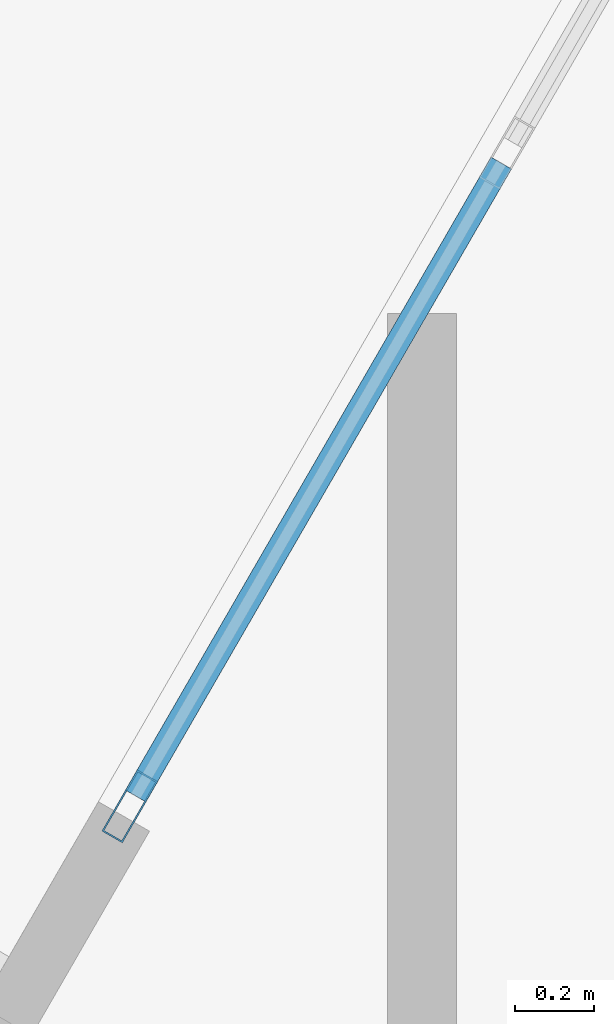
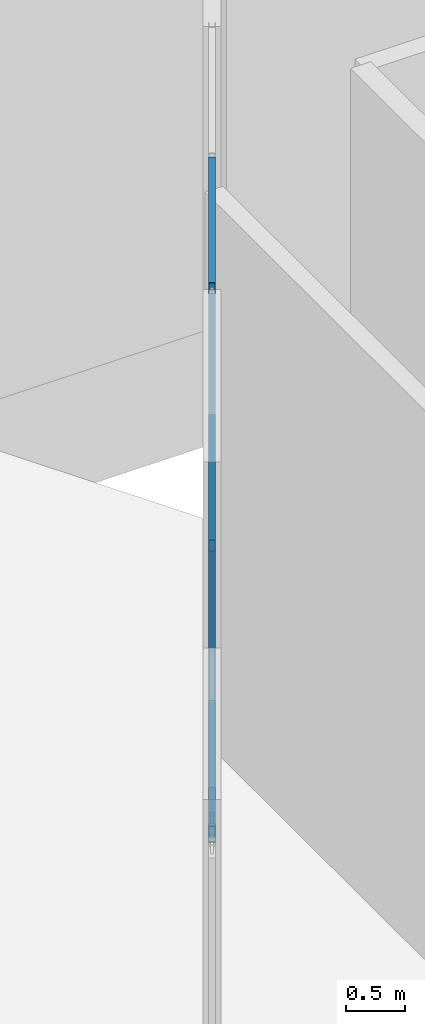
# One storey, part 17 of 43: 4 members, 1 element without a shape of its own.
"""IFC4 building model written with IfcOpenShell, lengths in metres."""

from ifc_helpers import new_model, si_unit, direction, frame, origin, origin_2d, place, context, subcontext, project, spatial, hollow_rectangle, extrude, material, material_profile, profile_set, type_object, element, aggregate, save


model = new_model("IFC4")

# Units and contexts
model_context = context("Model", 3, precision=1e-05, world=origin(), true_north=direction((0.0, 1.0)))
body_context = subcontext(model_context, "Body", "Model", "MODEL_VIEW")
ifc_project = project(units=[si_unit("LENGTHUNIT", "METRE"), si_unit("AREAUNIT", "SQUARE_METRE"), si_unit("VOLUMEUNIT", "CUBIC_METRE"), si_unit("PLANEANGLEUNIT", "RADIAN"), si_unit("MASSUNIT", "GRAM", prefix="KILO")], contexts=[model_context])

# Site, building, storey
site_placement = place(None, origin())
site = spatial("IfcSite", under=ifc_project, at=site_placement, CompositionType="ELEMENT")
building_placement = place(site_placement, origin())
building = spatial("IfcBuilding", under=site, at=building_placement, Name="Ostrander Bayou Hotel Tower", CompositionType="ELEMENT")
storey_placement = place(building_placement, frame((0.0, 0.0, 151.0)))
storey = spatial("IfcBuildingStorey", under=building, at=storey_placement, Name="L37", CompositionType="ELEMENT", Elevation=151.0)

# Curtain wall, members
ifc_material_1 = material(Name="Aluminium and clear glass", Category="aluminium")
curtain_wall_type = type_object("IfcCurtainWallType", Name="CW-SKY amenity glass wall", PredefinedType="NOTDEFINED", material=ifc_material_1)
curtain_wall_placement = place(storey_placement, origin())
curtain_wall = element("IfcCurtainWall", 1, at=curtain_wall_placement, inside=storey, type_object=curtain_wall_type, Name="CW-SKY L37 NW 1", PredefinedType="NOTDEFINED")
ifc_material_2 = material(Name="Aluminium", Category="aluminium")
ifc_material_profile_1 = material_profile(ifc_material_2, hollow_rectangle(XDim=0.06005859375, YDim=0.179931640625, WallThickness=0.00390625, at=origin_2d()))
ifc_profile_set_1 = profile_set([ifc_material_profile_1], Name="Aluminium")
member_type_1 = type_object("IfcMemberType", Name="CW-SK mullion 60 x 180 mm", PredefinedType="MULLION", material=ifc_profile_set_1)
member_1_placement = place(storey_placement, frame((-11.243408203125, 11.375732421875, 0.0), z_axis=(0.0, 0.0, 1.0), x_axis=(0.866025463091, -0.499999897278, 0.0)))
member_1 = element("IfcMember", 2, at=member_1_placement, type_object=member_type_1, Name="CW-SKY mullion 3", PredefinedType="MULLION", context=body_context, shape_type="SweptSolid", body=[
    extrude(hollow_rectangle(XDim=0.06005859375, YDim=0.179931640625, WallThickness=0.00390625, at=origin_2d()), origin(), (0.0, 0.0, 1.0), 5.699951171875),
])
ifc_material_3 = material(Name="Aluminium", Category="aluminium")
ifc_material_profile_2 = material_profile(ifc_material_3, hollow_rectangle(XDim=0.06005859375, YDim=0.1201171875, WallThickness=0.00390625, at=origin_2d()))
ifc_profile_set_2 = profile_set([ifc_material_profile_2], Name="Aluminium")
member_type_2 = type_object("IfcMemberType", Name="CW-SK transom 60 x 120 mm", PredefinedType="USERDEFINED", material=ifc_profile_set_2)
member_2_placement = place(storey_placement, frame((-10.29833984375, 13.012451171875, 0.030029296875), z_axis=(-0.50012012977, -0.86595603572, 0.0), x_axis=(0.86595603572, -0.50012012977, 0.0)))
member_2 = element("IfcMember", 3, at=member_2_placement, type_object=member_type_2, Name="CW-SKY transom 2.1", ObjectType="TRANSOM", PredefinedType="USERDEFINED", context=body_context, shape_type="SweptSolid", body=[
    extrude(hollow_rectangle(XDim=0.06005859375, YDim=0.1201171875, WallThickness=0.00390625, at=origin_2d()), origin(), (0.0, 0.0, 1.0), 1.85986328125),
])
member_3_placement = place(storey_placement, frame((-10.29833984375, 13.012451171875, 3.0), z_axis=(-0.50012012977, -0.86595603572, 0.0), x_axis=(0.86595603572, -0.50012012977, 0.0)))
member_3 = element("IfcMember", 4, at=member_3_placement, type_object=member_type_2, Name="CW-SKY transom 2.2", ObjectType="TRANSOM", PredefinedType="USERDEFINED", context=body_context, shape_type="SweptSolid", body=[
    extrude(hollow_rectangle(XDim=0.06005859375, YDim=0.1201171875, WallThickness=0.00390625, at=origin_2d()), origin(), (0.0, 0.0, 1.0), 1.85986328125),
])
member_4_placement = place(storey_placement, frame((-10.29833984375, 13.012451171875, 5.669921875), z_axis=(-0.50012012977, -0.86595603572, 0.0), x_axis=(0.86595603572, -0.50012012977, 0.0)))
member_4 = element("IfcMember", 5, at=member_4_placement, type_object=member_type_2, Name="CW-SKY transom 2.3", ObjectType="TRANSOM", PredefinedType="USERDEFINED", context=body_context, shape_type="SweptSolid", body=[
    extrude(hollow_rectangle(XDim=0.06005859375, YDim=0.1201171875, WallThickness=0.00390625, at=origin_2d()), origin(), (0.0, 0.0, 1.0), 1.85986328125),
])
aggregate(curtain_wall, [member_1, member_2, member_3, member_4])

save(model, "model.ifc")
